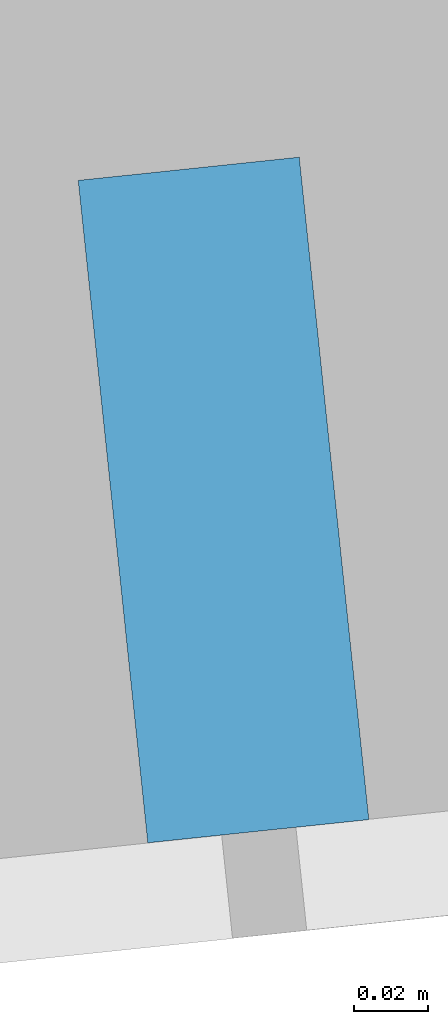
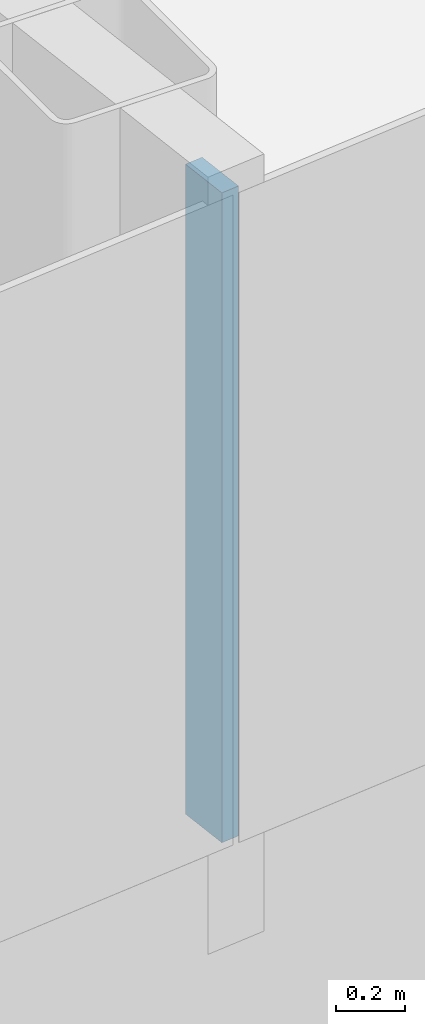
# One storey, part 5 of 27: 1 member, 1 element without a shape of its own.
"""IFC4 building model written with IfcOpenShell, lengths in metres."""

from ifc_helpers import new_model, si_unit, direction, frame, origin, origin_2d, place, context, subcontext, project, spatial, rectangle, extrude, material, layer, layer_set, material_profile, profile_set, type_object, element, aggregate, save


model = new_model("IFC4")

# Units and contexts
model_context = context("Model", 3, precision=1e-05, world=origin(), true_north=direction((0.0, 1.0)))
body_context = subcontext(model_context, "Body", "Model", "MODEL_VIEW")
ifc_project = project(units=[si_unit("LENGTHUNIT", "METRE"), si_unit("AREAUNIT", "SQUARE_METRE"), si_unit("VOLUMEUNIT", "CUBIC_METRE"), si_unit("PLANEANGLEUNIT", "RADIAN"), si_unit("MASSUNIT", "GRAM", prefix="KILO")], contexts=[model_context])

# Site, building, storey
site_placement = place(None, origin())
site = spatial("IfcSite", under=ifc_project, at=site_placement, CompositionType="ELEMENT")
building_placement = place(site_placement, origin())
building = spatial("IfcBuilding", under=site, at=building_placement, Name="Hakoniwa Tower and Hamabe Station Hall", CompositionType="ELEMENT")
storey_placement = place(building_placement, frame((0.0, 0.0, 239.0)))
storey = spatial("IfcBuildingStorey", under=building, at=storey_placement, Name="L67", CompositionType="ELEMENT", Elevation=239.0)

# Curtain wall, member
ifc_material_1 = material(Name="Dark low-e laminated glass", Category="glass")
ifc_layer = layer(ifc_material_1, 0.199951171875)
ifc_layer_set = layer_set([ifc_layer], Name="CW-1 UNITISED GUEST")
curtain_wall_type = type_object("IfcCurtainWallType", Name="CW-1 UNITISED GUEST", PredefinedType="NOTDEFINED", material=ifc_layer_set)
curtain_wall_placement = place(storey_placement, origin())
curtain_wall = element("IfcCurtainWall", 1, at=curtain_wall_placement, inside=storey, type_object=curtain_wall_type, Name="CW-1 curtain wall", PredefinedType="NOTDEFINED")
ifc_material_2 = material(Name="Aluminium 6063-T5 black anodised", Category="aluminium")
ifc_material_profile = material_profile(ifc_material_2, rectangle(XDim=0.06005859375, YDim=0.179931640625, at=origin_2d()), Name="CW-1 MULLION 60X180")
ifc_profile_set = profile_set([ifc_material_profile], Name="Aluminium 6063-T5 black anodised")
member_type = type_object("IfcMemberType", Name="CW-1 MULLION 60X180", PredefinedType="MULLION", material=ifc_profile_set)
member_placement = place(storey_placement, frame((1.7958984375, -14.587890625, 0.35009765625), z_axis=(0.0, 0.0, 1.0), x_axis=(0.994521895272, 0.104528464188, 0.0)))
member = element("IfcMember", 2, at=member_placement, type_object=member_type, Name="CW-1 mullion", PredefinedType="MULLION", context=body_context, shape_type="SweptSolid", body=[
    extrude(rectangle(XDim=0.06005859375, YDim=0.179931640625, at=origin_2d()), origin(), (0.0, 0.0, 1.0), 2.2998046875),
])
aggregate(curtain_wall, [member])

save(model, "model.ifc")
